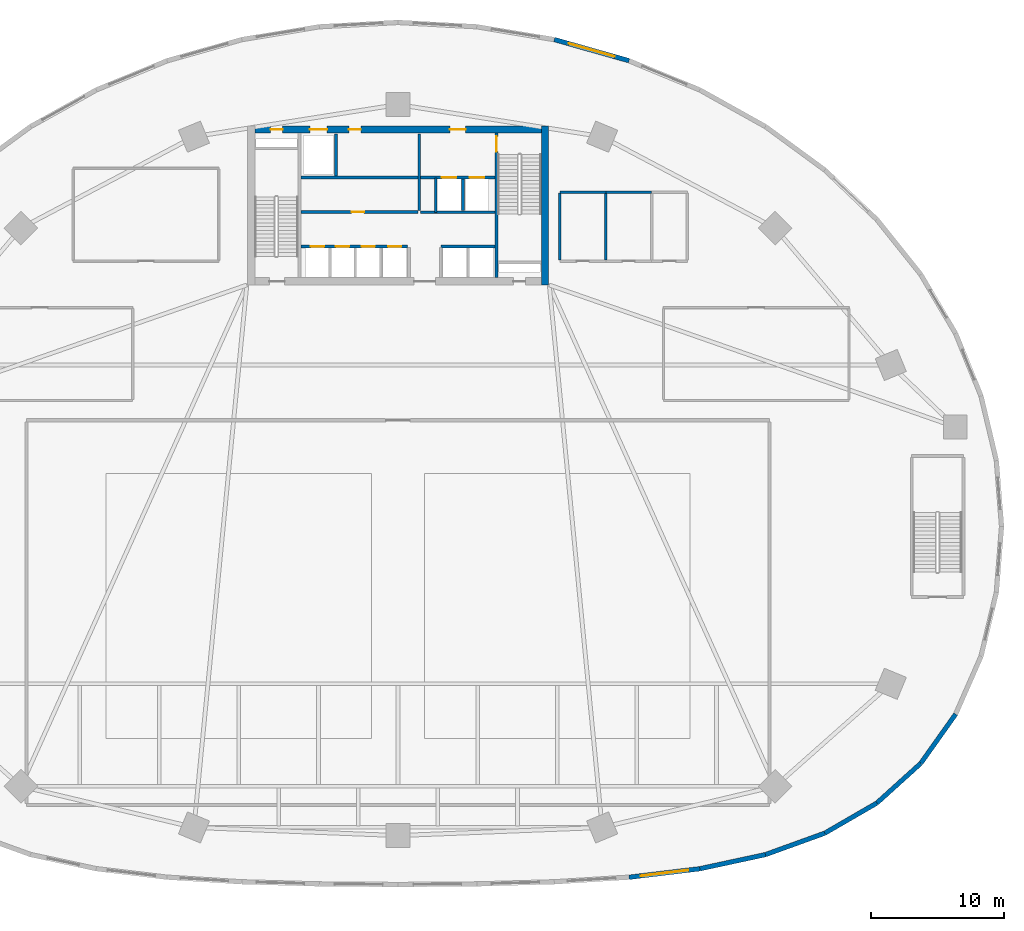
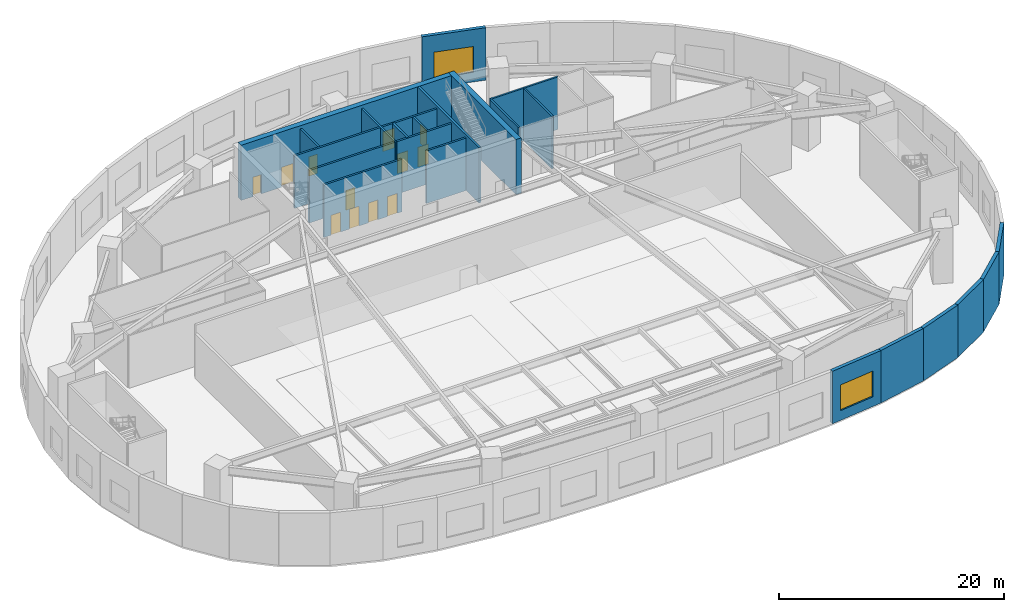
# One storey, part 4 of 10: 24 walls, 12 doors, 2 windows, 14 openings.
"""IFC4 building model written with IfcOpenShell, lengths in metres."""

from ifc_helpers import new_model, si_unit, direction, frame, frame_2d, origin, place, context, subcontext, project, spatial, rectangle, extrude, source, transform, mapped, material, layer, layer_set, type_object, type_shapes, element, fill, save


model = new_model("IFC4")

# Units and contexts
model_context = context("Model", 3, precision=1e-05, world=origin(), true_north=direction((0.0, 1.0)))
body_context = subcontext(model_context, "Body", "Model", "MODEL_VIEW")
ifc_project = project(units=[si_unit("LENGTHUNIT", "METRE"), si_unit("AREAUNIT", "SQUARE_METRE"), si_unit("VOLUMEUNIT", "CUBIC_METRE"), si_unit("PLANEANGLEUNIT", "RADIAN"), si_unit("MASSUNIT", "GRAM", prefix="KILO")], contexts=[model_context])

# Site, building, storey
site_placement = place(None, origin())
site = spatial("IfcSite", under=ifc_project, at=site_placement, CompositionType="ELEMENT")
building_placement = place(site_placement, origin())
building = spatial("IfcBuilding", under=site, at=building_placement, Name="Breltana Convention Tower", CompositionType="ELEMENT")
storey_placement = place(building_placement, frame((0.0, 0.0, 6.0)))
storey = spatial("IfcBuildingStorey", under=building, at=storey_placement, Name="L01", CompositionType="ELEMENT", Elevation=6.0)

# Wall
ifc_material_1 = material(Name="Concrete C60/75", Category="concrete")
ifc_layer_1 = layer(ifc_material_1, 0.550048828125, Name="Concrete C60/75")
ifc_layer_set_1 = layer_set([ifc_layer_1], Name="Concrete C60/75")
wall_type_1 = type_object("IfcWallType", Name="SW-CORE-550", PredefinedType="SHEAR", material=ifc_layer_set_1)
shared_shape_1 = source(origin(), body_context, "Body", "SweptSolid", [
    extrude(rectangle(XDim=12.0, YDim=0.550048828125, at=frame_2d((6.0, 0.0))), origin(), (0.0, 0.0, 1.0), 6.0),
])
wall_1_placement = place(storey_placement, frame((59.074951171875, 60.199951171875, 0.0), z_axis=(0.0, 0.0, 1.0), x_axis=(0.0, 1.0, 0.0)))
element("IfcWall", 1, at=wall_1_placement, inside=storey, type_object=wall_type_1, Name="L01 East Core Shear Wall", PredefinedType="SHEAR", context=body_context, shape_type="MappedRepresentation", body=[
    mapped(shared_shape_1, transform((0.0, 0.0, 0.0), scale=1.0)),
])

# Wall, openings, doors
shared_shape_2 = source(origin(), body_context, "Body", "SweptSolid", [
    extrude(rectangle(XDim=21.60009765625, YDim=0.550048828125, at=frame_2d((10.800048828125, 0.0))), origin(), (0.0, 0.0, 1.0), 6.0),
])
wall_2_placement = place(storey_placement, frame((37.199951171875, 71.925048828125, 0.0), z_axis=(0.0, 0.0, 1.0), x_axis=(1.0, 0.0, 0.0)))
wall_2 = element("IfcWall", 2, at=wall_2_placement, inside=storey, type_object=wall_type_1, Name="L01 North Core Shear Wall", PredefinedType="SHEAR", context=body_context, shape_type="MappedRepresentation", body=[
    mapped(shared_shape_2, transform((0.0, 0.0, 0.0), scale=1.0)),
])
opening_1_placement = place(wall_2_placement, frame((1.199951171875, 0.0, 0.0)))
opening_1 = element("IfcOpeningElement", 3, at=opening_1_placement, cuts=wall_2, Name="Opening D-18", PredefinedType="OPENING", context=body_context, shape_type="SweptSolid", body=[
    extrude(rectangle(XDim=0.89990234375, YDim=2.10009765625, at=frame_2d((0.449951171875, 1.050048828125))), frame((0.0, 0.28515625, 0.0), z_axis=(0.0, -1.0, 0.0), x_axis=(1.0, 0.0, 0.0)), (0.0, 0.0, 1.0), 0.570068359375),
])
opening_2_placement = place(wall_2_placement, frame((14.699951171875, 0.0, 0.0)))
opening_2 = element("IfcOpeningElement", 4, at=opening_2_placement, cuts=wall_2, Name="Opening D-09", PredefinedType="OPENING", context=body_context, shape_type="SweptSolid", body=[
    extrude(rectangle(XDim=1.199951171875, YDim=2.14990234375, at=frame_2d((0.60009765625, 1.074951171875))), frame((0.0, 0.28515625, 0.0), z_axis=(0.0, -1.0, 0.0), x_axis=(1.0, 0.0, 0.0)), (0.0, 0.0, 1.0), 0.570068359375),
])
opening_3_placement = place(wall_2_placement, frame((4.14990234375, 0.0, 0.0)))
opening_3 = element("IfcOpeningElement", 5, at=opening_3_placement, cuts=wall_2, Name="Opening LD-01", PredefinedType="OPENING", context=body_context, shape_type="SweptSolid", body=[
    extrude(rectangle(XDim=1.300048828125, YDim=2.14990234375, at=frame_2d((0.64990234375, 1.074951171875))), frame((0.0, 0.28515625, 0.0), z_axis=(0.0, -1.0, 0.0), x_axis=(1.0, 0.0, 0.0)), (0.0, 0.0, 1.0), 0.570068359375),
])
opening_4_placement = place(wall_2_placement, frame((7.10009765625, 0.0, 0.0)))
opening_4 = element("IfcOpeningElement", 6, at=opening_4_placement, cuts=wall_2, Name="Opening D-18", PredefinedType="OPENING", context=body_context, shape_type="SweptSolid", body=[
    extrude(rectangle(XDim=0.89990234375, YDim=2.10009765625, at=frame_2d((0.449951171875, 1.050048828125))), frame((0.0, 0.28515625, 0.0), z_axis=(0.0, -1.0, 0.0), x_axis=(1.0, 0.0, 0.0)), (0.0, 0.0, 1.0), 0.570068359375),
])
ifc_material_2 = material(Name="Steel Riser Fire Door", Category="steel")
door_type_1 = type_object("IfcDoorType", Name="DR-FD60-900", OperationType="NOTDEFINED", PredefinedType="DOOR", material=ifc_material_2)
shared_shape_3 = source(origin(), body_context, "Body", "SweptSolid", [
    extrude(rectangle(XDim=0.89990234375, YDim=2.10009765625, at=frame_2d((0.449951171875, 1.050048828125))), frame((0.0, 0.02490234375, 0.0), z_axis=(0.0, -1.0, 0.0), x_axis=(1.0, 0.0, 0.0)), (0.0, 0.0, 1.0), 0.050048828125),
])
type_shapes(door_type_1, [shared_shape_3])
door_1_placement = place(opening_1_placement, origin())
door_1 = element("IfcDoor", 7, at=door_1_placement, inside=storey, type_object=door_type_1, Name="L01 Core Riser Access Door D-L01-RS1", OperationType="SINGLE_SWING_LEFT", OverallHeight=2.10009765625, OverallWidth=0.89990234375, PredefinedType="DOOR", context=body_context, shape_type="MappedRepresentation", body=[
    mapped(shared_shape_3, transform((0.0, 0.0, 0.0), scale=1.0)),
])
fill(opening_1, door_1)
door_2_placement = place(opening_4_placement, origin())
door_2 = element("IfcDoor", 8, at=door_2_placement, inside=storey, type_object=door_type_1, Name="L01 interior door D-L01-CRA1", OperationType="SINGLE_SWING_LEFT", OverallHeight=2.10009765625, OverallWidth=0.89990234375, PredefinedType="DOOR", context=body_context, shape_type="MappedRepresentation", body=[
    mapped(shared_shape_3, transform((0.0, 0.0, 0.0), scale=1.0)),
])
fill(opening_4, door_2)
ifc_material_3 = material(Name="Steel Fire Lobby Door", Category="steel")
door_type_2 = type_object("IfcDoorType", Name="DR-FD120-1200", OperationType="NOTDEFINED", PredefinedType="DOOR", material=ifc_material_3)
shared_shape_4 = source(origin(), body_context, "Body", "SweptSolid", [
    extrude(rectangle(XDim=1.199951171875, YDim=2.14990234375, at=frame_2d((0.60009765625, 1.074951171875))), frame((0.0, 0.02490234375, 0.0), z_axis=(0.0, -1.0, 0.0), x_axis=(1.0, 0.0, 0.0)), (0.0, 0.0, 1.0), 0.050048828125),
])
type_shapes(door_type_2, [shared_shape_4])
door_3_placement = place(opening_2_placement, origin())
door_3 = element("IfcDoor", 9, at=door_3_placement, inside=storey, type_object=door_type_2, Name="L01 interior door D-L01-FFL-N", OperationType="SINGLE_SWING_RIGHT", OverallHeight=2.14990234375, OverallWidth=1.199951171875, PredefinedType="DOOR", context=body_context, shape_type="MappedRepresentation", body=[
    mapped(shared_shape_4, transform((0.0, 0.0, 0.0), scale=1.0)),
])
fill(opening_2, door_3)
ifc_material_4 = material(Name="Stainless Steel Brushed", Category="steel")
door_type_3 = type_object("IfcDoorType", Name="DR-LD-SRV-1300", OperationType="DOUBLE_DOOR_SLIDING", PredefinedType="DOOR", material=ifc_material_4)
shared_shape_5 = source(origin(), body_context, "Body", "SweptSolid", [
    extrude(rectangle(XDim=1.300048828125, YDim=2.14990234375, at=frame_2d((0.64990234375, 1.074951171875))), frame((0.0, 0.02490234375, 0.0), z_axis=(0.0, -1.0, 0.0), x_axis=(1.0, 0.0, 0.0)), (0.0, 0.0, 1.0), 0.050048828125),
])
type_shapes(door_type_3, [shared_shape_5])
door_4_placement = place(opening_3_placement, origin())
door_4 = element("IfcDoor", 10, at=door_4_placement, inside=storey, type_object=door_type_3, Name="L01 Lift Landing Door D-L01-LD-SV1", OperationType="DOUBLE_DOOR_SLIDING", OverallHeight=2.14990234375, OverallWidth=1.300048828125, PredefinedType="DOOR", context=body_context, shape_type="MappedRepresentation", body=[
    mapped(shared_shape_5, transform((0.0, 0.0, 0.0), scale=1.0)),
])
fill(opening_3, door_4)

# Wall, opening, door
ifc_material_5 = material(Name="Concrete C50/60", Category="concrete")
ifc_layer_2 = layer(ifc_material_5, 0.39990234375, Name="Concrete C50/60")
ifc_layer_set_2 = layer_set([ifc_layer_2], Name="Concrete C50/60")
wall_type_2 = type_object("IfcWallType", Name="SW-CORE-400", PredefinedType="SHEAR", material=ifc_layer_set_2)
shared_shape_6 = source(origin(), body_context, "Body", "SweptSolid", [
    extrude(rectangle(XDim=10.89990234375, YDim=0.219970703125, at=frame_2d((5.449951171875, 0.0))), origin(), (0.0, 0.0, 1.0), 6.0),
])
wall_3_placement = place(storey_placement, frame((55.419921875, 60.75, 0.0), z_axis=(0.0, 0.0, 1.0), x_axis=(0.0, 1.0, 0.0)))
wall_3 = element("IfcWall", 11, at=wall_3_placement, inside=storey, type_object=wall_type_2, Name="L01 Core East Stair Spine Wall", PredefinedType="SHEAR", context=body_context, shape_type="MappedRepresentation", body=[
    mapped(shared_shape_6, transform((0.0, 0.0, 0.0), scale=1.0)),
])
opening_5_placement = place(wall_3_placement, frame((9.4951171875, 0.0, 0.0)))
opening_5 = element("IfcOpeningElement", 12, at=opening_5_placement, cuts=wall_3, Name="Opening D-11", PredefinedType="OPENING", context=body_context, shape_type="SweptSolid", body=[
    extrude(rectangle(XDim=1.14990234375, YDim=2.14990234375, at=frame_2d((0.574951171875, 1.074951171875))), frame((0.0, 0.1201171875, 0.0), z_axis=(0.0, -1.0, 0.0), x_axis=(1.0, 0.0, 0.0)), (0.0, 0.0, 1.0), 0.239990234375),
])
ifc_material_6 = material(Name="Steel Stair Exit Door", Category="steel")
door_type_4 = type_object("IfcDoorType", Name="DR-FD120-1150", OperationType="NOTDEFINED", PredefinedType="DOOR", material=ifc_material_6)
shared_shape_7 = source(origin(), body_context, "Body", "SweptSolid", [
    extrude(rectangle(XDim=1.14990234375, YDim=2.14990234375, at=frame_2d((0.574951171875, 1.074951171875))), frame((0.0, 0.02490234375, 0.0), z_axis=(0.0, -1.0, 0.0), x_axis=(1.0, 0.0, 0.0)), (0.0, 0.0, 1.0), 0.050048828125),
])
type_shapes(door_type_4, [shared_shape_7])
door_5_placement = place(opening_5_placement, origin())
door_5 = element("IfcDoor", 13, at=door_5_placement, inside=storey, type_object=door_type_4, Name="L01 interior door D-L01-ST2", OperationType="SINGLE_SWING_LEFT", OverallHeight=2.14990234375, OverallWidth=1.14990234375, PredefinedType="DOOR", context=body_context, shape_type="MappedRepresentation", body=[
    mapped(shared_shape_7, transform((0.0, 0.0, 0.0), scale=1.0)),
])
fill(opening_5, door_5)

# Wall, opening, window
ifc_material_7 = material(Name="Limestone Buff Insulated Wall", Category="masonry")
ifc_layer_3 = layer(ifc_material_7, 0.35009765625, Name="Limestone Buff Insulated Wall")
ifc_layer_set_3 = layer_set([ifc_layer_3], Name="Limestone Buff Insulated Wall")
wall_type_3 = type_object("IfcWallType", Name="WL-EXT-POD-350", PredefinedType="SOLIDWALL", material=ifc_layer_set_3)
shared_shape_8 = source(origin(), body_context, "Body", "SweptSolid", [
    extrude(rectangle(XDim=5.85791015625, YDim=0.35009765625, at=frame_2d((2.928955078125, 0.0))), origin(), (0.0, 0.0, 1.0), 5.699951171875),
])
wall_4_placement = place(storey_placement, frame((65.412109375, 77.107421875, 0.0), z_axis=(0.0, 0.0, 1.0), x_axis=(-0.962088093248, 0.272738887637, 0.0)))
wall_4 = element("IfcWall", 14, at=wall_4_placement, inside=storey, type_object=wall_type_3, Name="L01 limestone facade wall 10", PredefinedType="SOLIDWALL", context=body_context, shape_type="MappedRepresentation", body=[
    mapped(shared_shape_8, transform((0.0, 0.0, 0.0), scale=1.0)),
])
opening_6_placement = place(wall_4_placement, frame((1.12890625, 0.0, 1.050048828125)))
opening_6 = element("IfcOpeningElement", 15, at=opening_6_placement, cuts=wall_4, Name="Opening W-01", PredefinedType="OPENING", context=body_context, shape_type="SweptSolid", body=[
    extrude(rectangle(XDim=3.60009765625, YDim=2.800048828125, at=frame_2d((1.800048828125, 1.39990234375))), frame((0.0, 0.18505859375, 0.0), z_axis=(0.0, -1.0, 0.0), x_axis=(1.0, 0.0, 0.0)), (0.0, 0.0, 1.0), 0.3701171875),
])
ifc_material_8 = material(Name="Glass Low-E Insulated Window", Category="glass")
window_type = type_object("IfcWindowType", Name="WN-POD-3600X2800", PartitioningType="TRIPLE_PANEL_VERTICAL", PredefinedType="WINDOW", material=ifc_material_8)
shared_shape_9 = source(origin(), body_context, "Body", "SweptSolid", [
    extrude(rectangle(XDim=3.60009765625, YDim=2.800048828125, at=frame_2d((1.800048828125, 1.39990234375))), frame((0.0, 0.030029296875, 0.0), z_axis=(0.0, -1.0, 0.0), x_axis=(1.0, 0.0, 0.0)), (0.0, 0.0, 1.0), 0.06005859375),
])
type_shapes(window_type, [shared_shape_9])
window_1_placement = place(opening_6_placement, origin())
window_1 = element("IfcWindow", 16, at=window_1_placement, inside=storey, type_object=window_type, Name="L01 tripartite window 10.1", OverallHeight=2.800048828125, OverallWidth=3.60009765625, PartitioningType="TRIPLE_PANEL_VERTICAL", PredefinedType="WINDOW", context=body_context, shape_type="MappedRepresentation", body=[
    mapped(shared_shape_9, transform((0.0, 0.0, 0.0), scale=1.0)),
])
fill(opening_6, window_1)

# Walls
shared_shape_10 = source(origin(), body_context, "Body", "SweptSolid", [
    extrude(rectangle(XDim=4.54833984375, YDim=0.35009765625, at=frame_2d((2.274169921875, 0.0))), origin(), (0.0, 0.0, 1.0), 5.699951171875),
])
wall_5_placement = place(storey_placement, frame((87.404296875, 24.14501953125, 0.0), z_axis=(0.0, 0.0, 1.0), x_axis=(0.578742399763, 0.815510413616, 0.0)))
element("IfcWall", 17, at=wall_5_placement, inside=storey, type_object=wall_type_3, Name="L01 limestone facade wall 45", PredefinedType="SOLIDWALL", context=body_context, shape_type="MappedRepresentation", body=[
    mapped(shared_shape_10, transform((0.0, 0.0, 0.0), scale=1.0)),
])
shared_shape_11 = source(origin(), body_context, "Body", "SweptSolid", [
    extrude(rectangle(XDim=4.458740234375, YDim=0.35009765625, at=frame_2d((2.2294921875, 0.0))), origin(), (0.0, 0.0, 1.0), 5.699951171875),
])
wall_6_placement = place(storey_placement, frame((84.09765625, 21.154052734375, 0.0), z_axis=(0.0, 0.0, 1.0), x_axis=(0.741620092595, 0.670820123625, 0.0)))
element("IfcWall", 18, at=wall_6_placement, inside=storey, type_object=wall_type_3, Name="L01 limestone facade wall 44", PredefinedType="SOLIDWALL", context=body_context, shape_type="MappedRepresentation", body=[
    mapped(shared_shape_11, transform((0.0, 0.0, 0.0), scale=1.0)),
])
shared_shape_12 = source(origin(), body_context, "Body", "SweptSolid", [
    extrude(rectangle(XDim=4.535400390625, YDim=0.35009765625, at=frame_2d((2.267578125, 0.0))), origin(), (0.0, 0.0, 1.0), 5.699951171875),
])
wall_7_placement = place(storey_placement, frame((80.17333984375, 18.880615234375, 0.0), z_axis=(0.0, 0.0, 1.0), x_axis=(0.86528620064, 0.501278157295, 0.0)))
element("IfcWall", 19, at=wall_7_placement, inside=storey, type_object=wall_type_3, Name="L01 limestone facade wall 43", PredefinedType="SOLIDWALL", context=body_context, shape_type="MappedRepresentation", body=[
    mapped(shared_shape_12, transform((0.0, 0.0, 0.0), scale=1.0)),
])
shared_shape_13 = source(origin(), body_context, "Body", "SweptSolid", [
    extrude(rectangle(XDim=4.75830078125, YDim=0.35009765625, at=frame_2d((2.379150390625, 0.0))), origin(), (0.0, 0.0, 1.0), 5.699951171875),
])
wall_8_placement = place(storey_placement, frame((75.698486328125, 17.2626953125, 0.0), z_axis=(0.0, 0.0, 1.0), x_axis=(0.940419515454, 0.340016374538, 0.0)))
element("IfcWall", 20, at=wall_8_placement, inside=storey, type_object=wall_type_3, Name="L01 limestone facade wall 42", PredefinedType="SOLIDWALL", context=body_context, shape_type="MappedRepresentation", body=[
    mapped(shared_shape_13, transform((0.0, 0.0, 0.0), scale=1.0)),
])
shared_shape_14 = source(origin(), body_context, "Body", "SweptSolid", [
    extrude(rectangle(XDim=5.062255859375, YDim=0.35009765625, at=frame_2d((2.53125, 0.0))), origin(), (0.0, 0.0, 1.0), 5.699951171875),
])
wall_9_placement = place(storey_placement, frame((70.75, 16.196044921875, 0.0), z_axis=(0.0, 0.0, 1.0), x_axis=(0.977548321811, 0.210711363066, 0.0)))
element("IfcWall", 21, at=wall_9_placement, inside=storey, type_object=wall_type_3, Name="L01 limestone facade wall 41", PredefinedType="SOLIDWALL", context=body_context, shape_type="MappedRepresentation", body=[
    mapped(shared_shape_14, transform((0.0, 0.0, 0.0), scale=1.0)),
])

# Wall, opening, window
shared_shape_15 = source(origin(), body_context, "Body", "SweptSolid", [
    extrude(rectangle(XDim=5.37646484375, YDim=0.35009765625, at=frame_2d((2.688232421875, 0.0))), origin(), (0.0, 0.0, 1.0), 5.699951171875),
])
wall_10_placement = place(storey_placement, frame((65.412109375, 15.552734375, 0.0), z_axis=(0.0, 0.0, 1.0), x_axis=(0.992815901624, 0.119651934723, 0.0)))
wall_10 = element("IfcWall", 22, at=wall_10_placement, inside=storey, type_object=wall_type_3, Name="L01 limestone facade wall 40", PredefinedType="SOLIDWALL", context=body_context, shape_type="MappedRepresentation", body=[
    mapped(shared_shape_15, transform((0.0, 0.0, 0.0), scale=1.0)),
])
opening_7_placement = place(wall_10_placement, frame((0.88818359375, 0.0, 1.050048828125)))
opening_7 = element("IfcOpeningElement", 23, at=opening_7_placement, cuts=wall_10, Name="Opening W-01", PredefinedType="OPENING", context=body_context, shape_type="SweptSolid", body=[
    extrude(rectangle(XDim=3.60009765625, YDim=2.800048828125, at=frame_2d((1.800048828125, 1.39990234375))), frame((0.0, 0.18505859375, 0.0), z_axis=(0.0, -1.0, 0.0), x_axis=(1.0, 0.0, 0.0)), (0.0, 0.0, 1.0), 0.3701171875),
])
window_2_placement = place(opening_7_placement, origin())
window_2 = element("IfcWindow", 24, at=window_2_placement, inside=storey, type_object=window_type, Name="L01 tripartite window 40.1", OverallHeight=2.800048828125, OverallWidth=3.60009765625, PartitioningType="TRIPLE_PANEL_VERTICAL", PredefinedType="WINDOW", context=body_context, shape_type="MappedRepresentation", body=[
    mapped(shared_shape_9, transform((0.0, 0.0, 0.0), scale=1.0)),
])
fill(opening_7, window_2)

# Wall, openings, doors
ifc_material_9 = material(Name="Autoclaved Aerated Concrete Block", Category="concrete")
ifc_layer_4 = layer(ifc_material_9, 0.199951171875, Name="Autoclaved Aerated Concrete Block")
ifc_layer_set_4 = layer_set([ifc_layer_4], Name="Autoclaved Aerated Concrete Block")
wall_type_4 = type_object("IfcWallType", Name="WL-SHAFT-200", PredefinedType="SOLIDWALL", material=ifc_layer_set_4)
shared_shape_16 = source(origin(), body_context, "Body", "SweptSolid", [
    extrude(rectangle(XDim=5.6201171875, YDim=0.199951171875, at=frame_2d((2.81005859375, 0.0))), origin(), (0.0, 0.0, 1.0), 5.699951171875),
])
wall_11_placement = place(storey_placement, frame((49.699951171875, 68.300048828125, 0.0), z_axis=(0.0, 0.0, 1.0), x_axis=(1.0, 0.0, 0.0)))
wall_11 = element("IfcWall", 25, at=wall_11_placement, inside=storey, type_object=wall_type_4, Name="L01 interior partition W-L01-FFL-S", PredefinedType="SOLIDWALL", context=body_context, shape_type="MappedRepresentation", body=[
    mapped(shared_shape_16, transform((0.0, 0.0, 0.0), scale=1.0)),
])
opening_8_placement = place(wall_11_placement, frame((1.60009765625, 0.0, 0.0)))
opening_8 = element("IfcOpeningElement", 26, at=opening_8_placement, cuts=wall_11, Name="Opening LD-03", PredefinedType="OPENING", context=body_context, shape_type="SweptSolid", body=[
    extrude(rectangle(XDim=1.10009765625, YDim=2.14990234375, at=frame_2d((0.550048828125, 1.074951171875))), frame((0.0, 0.10986328125, 0.0), z_axis=(0.0, -1.0, 0.0), x_axis=(1.0, 0.0, 0.0)), (0.0, 0.0, 1.0), 0.219970703125),
])
opening_9_placement = place(wall_11_placement, frame((3.699951171875, 0.0, 0.0)))
opening_9 = element("IfcOpeningElement", 27, at=opening_9_placement, cuts=wall_11, Name="Opening LD-03", PredefinedType="OPENING", context=body_context, shape_type="SweptSolid", body=[
    extrude(rectangle(XDim=1.10009765625, YDim=2.14990234375, at=frame_2d((0.550048828125, 1.074951171875))), frame((0.0, 0.10986328125, 0.0), z_axis=(0.0, -1.0, 0.0), x_axis=(1.0, 0.0, 0.0)), (0.0, 0.0, 1.0), 0.219970703125),
])
door_type_5 = type_object("IfcDoorType", Name="DR-LD-FF-1100", OperationType="DOUBLE_DOOR_SLIDING", PredefinedType="DOOR", material=ifc_material_4)
shared_shape_17 = source(origin(), body_context, "Body", "SweptSolid", [
    extrude(rectangle(XDim=1.10009765625, YDim=2.14990234375, at=frame_2d((0.550048828125, 1.074951171875))), frame((0.0, 0.02490234375, 0.0), z_axis=(0.0, -1.0, 0.0), x_axis=(1.0, 0.0, 0.0)), (0.0, 0.0, 1.0), 0.050048828125),
])
type_shapes(door_type_5, [shared_shape_17])
door_6_placement = place(opening_8_placement, origin())
door_6 = element("IfcDoor", 28, at=door_6_placement, inside=storey, type_object=door_type_5, Name="L01 Lift Landing Door D-L01-LD-FL1", OperationType="DOUBLE_DOOR_SLIDING", OverallHeight=2.14990234375, OverallWidth=1.10009765625, PredefinedType="DOOR", context=body_context, shape_type="MappedRepresentation", body=[
    mapped(shared_shape_17, transform((0.0, 0.0, 0.0), scale=1.0)),
])
fill(opening_8, door_6)
door_7_placement = place(opening_9_placement, origin())
door_7 = element("IfcDoor", 29, at=door_7_placement, inside=storey, type_object=door_type_5, Name="L01 Lift Landing Door D-L01-LD-FL2", OperationType="DOUBLE_DOOR_SLIDING", OverallHeight=2.14990234375, OverallWidth=1.10009765625, PredefinedType="DOOR", context=body_context, shape_type="MappedRepresentation", body=[
    mapped(shared_shape_17, transform((0.0, 0.0, 0.0), scale=1.0)),
])
fill(opening_9, door_7)

# Walls
wall_12_placement = place(storey_placement, frame((49.699951171875, 65.679931640625, 0.0), z_axis=(0.0, 0.0, 1.0), x_axis=(1.0, 0.0, 0.0)))
element("IfcWall", 30, at=wall_12_placement, inside=storey, type_object=wall_type_4, Name="L01 interior partition W-L01-FL-S", PredefinedType="SOLIDWALL", context=body_context, shape_type="MappedRepresentation", body=[
    mapped(shared_shape_16, transform((0.0, 0.0, 0.0), scale=1.0)),
])
shared_shape_18 = source(origin(), body_context, "Body", "SweptSolid", [
    extrude(rectangle(XDim=5.800048828125, YDim=0.199951171875, at=frame_2d((2.89990234375, 0.0))), origin(), (0.0, 0.0, 1.0), 5.699951171875),
])
wall_13_placement = place(storey_placement, frame((49.60009765625, 65.800048828125, 0.0), z_axis=(0.0, 0.0, 1.0), x_axis=(0.0, 1.0, 0.0)))
element("IfcWall", 31, at=wall_13_placement, inside=storey, type_object=wall_type_4, Name="L01 interior partition W-L01-FFL-W", PredefinedType="SOLIDWALL", context=body_context, shape_type="MappedRepresentation", body=[
    mapped(shared_shape_18, transform((0.0, 0.0, 0.0), scale=1.0)),
])
shared_shape_19 = source(origin(), body_context, "Body", "SweptSolid", [
    extrude(rectangle(XDim=2.580078125, YDim=0.199951171875, at=frame_2d((1.2900390625, 0.0))), origin(), (0.0, 0.0, 1.0), 5.699951171875),
])
wall_14_placement = place(storey_placement, frame((50.85009765625, 65.679931640625, 0.0), z_axis=(0.0, 0.0, 1.0), x_axis=(0.0, 1.0, 0.0)))
element("IfcWall", 32, at=wall_14_placement, inside=storey, type_object=wall_type_4, Name="L01 interior partition W-L01-FL-W", PredefinedType="SOLIDWALL", context=body_context, shape_type="MappedRepresentation", body=[
    mapped(shared_shape_19, transform((0.0, 0.0, 0.0), scale=1.0)),
])
shared_shape_20 = source(origin(), body_context, "Body", "SweptSolid", [
    extrude(rectangle(XDim=2.39990234375, YDim=0.199951171875, at=frame_2d((1.199951171875, 0.0))), origin(), (0.0, 0.0, 1.0), 5.699951171875),
])
wall_15_placement = place(storey_placement, frame((52.89990234375, 65.800048828125, 0.0), z_axis=(0.0, 0.0, 1.0), x_axis=(0.0, 1.0, 0.0)))
element("IfcWall", 33, at=wall_15_placement, inside=storey, type_object=wall_type_4, Name="L01 interior partition W-L01-FL-DIV", PredefinedType="SOLIDWALL", context=body_context, shape_type="MappedRepresentation", body=[
    mapped(shared_shape_20, transform((0.0, 0.0, 0.0), scale=1.0)),
])
shared_shape_21 = source(origin(), body_context, "Body", "SweptSolid", [
    extrude(rectangle(XDim=3.2001953125, YDim=0.199951171875, at=frame_2d((1.60009765625, 0.0))), origin(), (0.0, 0.0, 1.0), 5.699951171875),
])
wall_16_placement = place(storey_placement, frame((43.320068359375, 68.39990234375, 0.0), z_axis=(0.0, 0.0, 1.0), x_axis=(0.0, 1.0, 0.0)))
element("IfcWall", 34, at=wall_16_placement, inside=storey, type_object=wall_type_4, Name="L01 interior partition W-L01-SV-E", PredefinedType="SOLIDWALL", context=body_context, shape_type="MappedRepresentation", body=[
    mapped(shared_shape_21, transform((0.0, 0.0, 0.0), scale=1.0)),
])
shared_shape_22 = source(origin(), body_context, "Body", "SweptSolid", [
    extrude(rectangle(XDim=8.800048828125, YDim=0.199951171875, at=frame_2d((4.39990234375, 0.0))), origin(), (0.0, 0.0, 1.0), 5.699951171875),
])
wall_17_placement = place(storey_placement, frame((40.699951171875, 68.300048828125, 0.0), z_axis=(0.0, 0.0, 1.0), x_axis=(1.0, 0.0, 0.0)))
element("IfcWall", 35, at=wall_17_placement, inside=storey, type_object=wall_type_4, Name="L01 interior partition W-L01-SV-S", PredefinedType="SOLIDWALL", context=body_context, shape_type="MappedRepresentation", body=[
    mapped(shared_shape_22, transform((0.0, 0.0, 0.0), scale=1.0)),
])

# Wall, opening, door
wall_18_placement = place(storey_placement, frame((40.699951171875, 65.699951171875, 0.0), z_axis=(0.0, 0.0, 1.0), x_axis=(1.0, 0.0, 0.0)))
wall_18 = element("IfcWall", 36, at=wall_18_placement, inside=storey, type_object=wall_type_4, Name="L01 interior partition W-L01-SH-M-FRONT", PredefinedType="SOLIDWALL", context=body_context, shape_type="MappedRepresentation", body=[
    mapped(shared_shape_22, transform((0.0, 0.0, 0.0), scale=1.0)),
])
opening_10_placement = place(wall_18_placement, frame((3.800048828125, 0.0, 0.0)))
opening_10 = element("IfcOpeningElement", 37, at=opening_10_placement, cuts=wall_18, Name="Opening D-14", PredefinedType="OPENING", context=body_context, shape_type="SweptSolid", body=[
    extrude(rectangle(XDim=0.949951171875, YDim=2.14990234375, at=frame_2d((0.47509765625, 1.074951171875))), frame((0.0, 0.10986328125, 0.0), z_axis=(0.0, -1.0, 0.0), x_axis=(1.0, 0.0, 0.0)), (0.0, 0.0, 1.0), 0.219970703125),
])
ifc_material_10 = material(Name="Timber Solid-Core Fire Door", Category="wood")
door_type_6 = type_object("IfcDoorType", Name="DR-FD60-950", OperationType="NOTDEFINED", PredefinedType="DOOR", material=ifc_material_10)
shared_shape_23 = source(origin(), body_context, "Body", "SweptSolid", [
    extrude(rectangle(XDim=0.949951171875, YDim=2.14990234375, at=frame_2d((0.47509765625, 1.074951171875))), frame((0.0, 0.02490234375, 0.0), z_axis=(0.0, -1.0, 0.0), x_axis=(1.0, 0.0, 0.0)), (0.0, 0.0, 1.0), 0.050048828125),
])
type_shapes(door_type_6, [shared_shape_23])
door_8_placement = place(opening_10_placement, origin())
door_8 = element("IfcDoor", 38, at=door_8_placement, inside=storey, type_object=door_type_6, Name="L01 interior door D-L01-LV7-B2A", OperationType="SINGLE_SWING_RIGHT", OverallHeight=2.14990234375, OverallWidth=0.949951171875, PredefinedType="DOOR", context=body_context, shape_type="MappedRepresentation", body=[
    mapped(shared_shape_23, transform((0.0, 0.0, 0.0), scale=1.0)),
])
fill(opening_10, door_8)

# Wall, openings, doors
shared_shape_24 = source(origin(), body_context, "Body", "SweptSolid", [
    extrude(rectangle(XDim=8.02001953125, YDim=0.199951171875, at=frame_2d((4.010009765625, 0.0))), origin(), (0.0, 0.0, 1.0), 5.699951171875),
])
wall_19_placement = place(storey_placement, frame((40.699951171875, 63.10009765625, 0.0), z_axis=(0.0, 0.0, 1.0), x_axis=(1.0, 0.0, 0.0)))
wall_19 = element("IfcWall", 39, at=wall_19_placement, inside=storey, type_object=wall_type_4, Name="L01 interior partition W-L01-SH-S-FRONT", PredefinedType="SOLIDWALL", context=body_context, shape_type="MappedRepresentation", body=[
    mapped(shared_shape_24, transform((0.0, 0.0, 0.0), scale=1.0)),
])
opening_11_placement = place(wall_19_placement, frame((0.719970703125, 0.0, 0.0)))
opening_11 = element("IfcOpeningElement", 40, at=opening_11_placement, cuts=wall_19, Name="Opening LD-04", PredefinedType="OPENING", context=body_context, shape_type="SweptSolid", body=[
    extrude(rectangle(XDim=1.0, YDim=2.14990234375, at=frame_2d((0.5, 1.074951171875))), frame((0.0, 0.10986328125, 0.0), z_axis=(0.0, -1.0, 0.0), x_axis=(1.0, 0.0, 0.0)), (0.0, 0.0, 1.0), 0.219970703125),
])
opening_12_placement = place(wall_19_placement, frame((2.6201171875, 0.0, 0.0)))
opening_12 = element("IfcOpeningElement", 41, at=opening_12_placement, cuts=wall_19, Name="Opening LD-04", PredefinedType="OPENING", context=body_context, shape_type="SweptSolid", body=[
    extrude(rectangle(XDim=1.0, YDim=2.14990234375, at=frame_2d((0.5, 1.074951171875))), frame((0.0, 0.10986328125, 0.0), z_axis=(0.0, -1.0, 0.0), x_axis=(1.0, 0.0, 0.0)), (0.0, 0.0, 1.0), 0.219970703125),
])
opening_13_placement = place(wall_19_placement, frame((4.550048828125, 0.0, 0.0)))
opening_13 = element("IfcOpeningElement", 42, at=opening_13_placement, cuts=wall_19, Name="Opening LD-04", PredefinedType="OPENING", context=body_context, shape_type="SweptSolid", body=[
    extrude(rectangle(XDim=1.0, YDim=2.14990234375, at=frame_2d((0.5, 1.074951171875))), frame((0.0, 0.10986328125, 0.0), z_axis=(0.0, -1.0, 0.0), x_axis=(1.0, 0.0, 0.0)), (0.0, 0.0, 1.0), 0.219970703125),
])
opening_14_placement = place(wall_19_placement, frame((6.550048828125, 0.0, 0.0)))
opening_14 = element("IfcOpeningElement", 43, at=opening_14_placement, cuts=wall_19, Name="Opening LD-04", PredefinedType="OPENING", context=body_context, shape_type="SweptSolid", body=[
    extrude(rectangle(XDim=1.0, YDim=2.14990234375, at=frame_2d((0.5, 1.074951171875))), frame((0.0, 0.10986328125, 0.0), z_axis=(0.0, -1.0, 0.0), x_axis=(1.0, 0.0, 0.0)), (0.0, 0.0, 1.0), 0.219970703125),
])
door_type_7 = type_object("IfcDoorType", Name="DR-LD-PAX-1000", OperationType="DOUBLE_DOOR_SLIDING", PredefinedType="DOOR", material=ifc_material_4)
shared_shape_25 = source(origin(), body_context, "Body", "SweptSolid", [
    extrude(rectangle(XDim=1.0, YDim=2.14990234375, at=frame_2d((0.5, 1.074951171875))), frame((0.0, 0.02490234375, 0.0), z_axis=(0.0, -1.0, 0.0), x_axis=(1.0, 0.0, 0.0)), (0.0, 0.0, 1.0), 0.050048828125),
])
type_shapes(door_type_7, [shared_shape_25])
door_9_placement = place(opening_11_placement, origin())
door_9 = element("IfcDoor", 44, at=door_9_placement, inside=storey, type_object=door_type_7, Name="L01 Lift Landing Door D-L01-LD-S1", OperationType="DOUBLE_DOOR_SLIDING", OverallHeight=2.14990234375, OverallWidth=1.0, PredefinedType="DOOR", context=body_context, shape_type="MappedRepresentation", body=[
    mapped(shared_shape_25, transform((0.0, 0.0, 0.0), scale=1.0)),
])
fill(opening_11, door_9)
door_10_placement = place(opening_12_placement, origin())
door_10 = element("IfcDoor", 45, at=door_10_placement, inside=storey, type_object=door_type_7, Name="L01 Lift Landing Door D-L01-LD-S2", OperationType="DOUBLE_DOOR_SLIDING", OverallHeight=2.14990234375, OverallWidth=1.0, PredefinedType="DOOR", context=body_context, shape_type="MappedRepresentation", body=[
    mapped(shared_shape_25, transform((0.0, 0.0, 0.0), scale=1.0)),
])
fill(opening_12, door_10)
door_11_placement = place(opening_13_placement, origin())
door_11 = element("IfcDoor", 46, at=door_11_placement, inside=storey, type_object=door_type_7, Name="L01 Lift Landing Door D-L01-LD-S3", OperationType="DOUBLE_DOOR_SLIDING", OverallHeight=2.14990234375, OverallWidth=1.0, PredefinedType="DOOR", context=body_context, shape_type="MappedRepresentation", body=[
    mapped(shared_shape_25, transform((0.0, 0.0, 0.0), scale=1.0)),
])
fill(opening_13, door_11)
door_12_placement = place(opening_14_placement, origin())
door_12 = element("IfcDoor", 47, at=door_12_placement, inside=storey, type_object=door_type_7, Name="L01 Lift Landing Door D-L01-LD-S4", OperationType="DOUBLE_DOOR_SLIDING", OverallHeight=2.14990234375, OverallWidth=1.0, PredefinedType="DOOR", context=body_context, shape_type="MappedRepresentation", body=[
    mapped(shared_shape_25, transform((0.0, 0.0, 0.0), scale=1.0)),
])
fill(opening_14, door_12)

# Walls
shared_shape_26 = source(origin(), body_context, "Body", "SweptSolid", [
    extrude(rectangle(XDim=4.10009765625, YDim=0.199951171875, at=frame_2d((2.050048828125, 0.0))), origin(), (0.0, 0.0, 1.0), 5.699951171875),
])
wall_20_placement = place(storey_placement, frame((51.219970703125, 63.10009765625, 0.0), z_axis=(0.0, 0.0, 1.0), x_axis=(1.0, 0.0, 0.0)))
element("IfcWall", 48, at=wall_20_placement, inside=storey, type_object=wall_type_4, Name="L01 interior partition W-L01-SH-X-FRONT", PredefinedType="SOLIDWALL", context=body_context, shape_type="MappedRepresentation", body=[
    mapped(shared_shape_26, transform((0.0, 0.0, 0.0), scale=1.0)),
])
ifc_material_11 = material(Name="Moisture-Resistant Gypsum Chase Wall")
ifc_layer_5 = layer(ifc_material_11, 0.179931640625, Name="Moisture-Resistant Gypsum Chase Wall")
ifc_layer_set_5 = layer_set([ifc_layer_5], Name="Moisture-Resistant Gypsum Chase Wall")
wall_type_5 = type_object("IfcWallType", Name="WL-PLUMB-180", PredefinedType="PLUMBINGWALL", material=ifc_layer_set_5)
shared_shape_27 = source(origin(), body_context, "Body", "SweptSolid", [
    extrude(rectangle(XDim=3.4560546875, YDim=0.179931640625, at=frame_2d((1.72802734375, 0.0))), origin(), (0.0, 0.0, 1.0), 5.699951171875),
])
for number, where, z_axis, x_axis, name in (
    (49, (60.199951171875, 67.199951171875, 0.0), (0.0, 0.0, 1.0), (1.0, 0.0, 0.0), "L01 interior partition W-L01-WCM-N"),
    (50, (63.656005859375, 67.199951171875, 0.0), (0.0, 0.0, 1.0), (1.0, 0.0, 0.0), "L01 interior partition W-L01-WCF-N"),
):
    element("IfcWall", number, at=place(storey_placement, frame(where, z_axis=z_axis, x_axis=x_axis)), inside=storey, type_object=wall_type_5, Name=name, PredefinedType="PLUMBINGWALL", context=body_context, shape_type="MappedRepresentation", body=[
        mapped(shared_shape_27, transform((0.0, 0.0, 0.0), scale=1.0)),
    ])
ifc_material_12 = material(Name="Cement Board Wet-Area Partition")
ifc_layer_6 = layer(ifc_material_12, 0.175048828125, Name="Cement Board Wet-Area Partition")
ifc_layer_set_6 = layer_set([ifc_layer_6], Name="Cement Board Wet-Area Partition")
wall_type_6 = type_object("IfcWallType", Name="WL-WET-175", PredefinedType="PARTITIONING", material=ifc_layer_set_6)
shared_shape_28 = source(origin(), body_context, "Body", "SweptSolid", [
    extrude(rectangle(XDim=5.042724609375, YDim=0.175048828125, at=frame_2d((2.521484375, 0.0))), origin(), (0.0, 0.0, 1.0), 5.699951171875),
])
for number, where, z_axis, x_axis, name in (
    (51, (60.199951171875, 62.07861328125, 0.0), (0.0, 0.0, 1.0), (0.0, 1.0, 0.0), "L01 interior partition W-L01-WCM-W"),
    (52, (63.656005859375, 62.07861328125, 0.0), (0.0, 0.0, 1.0), (0.0, 1.0, 0.0), "L01 interior partition W-L01-WCM-E"),
):
    element("IfcWall", number, at=place(storey_placement, frame(where, z_axis=z_axis, x_axis=x_axis)), inside=storey, type_object=wall_type_6, Name=name, PredefinedType="PARTITIONING", context=body_context, shape_type="MappedRepresentation", body=[
        mapped(shared_shape_28, transform((0.0, 0.0, 0.0), scale=1.0)),
    ])

save(model, "model.ifc")
